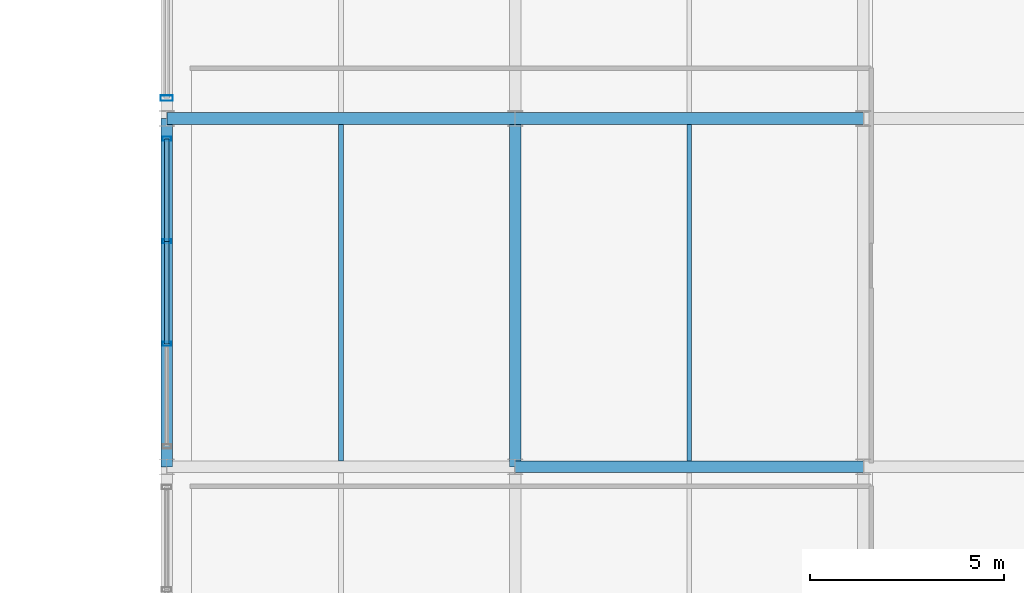
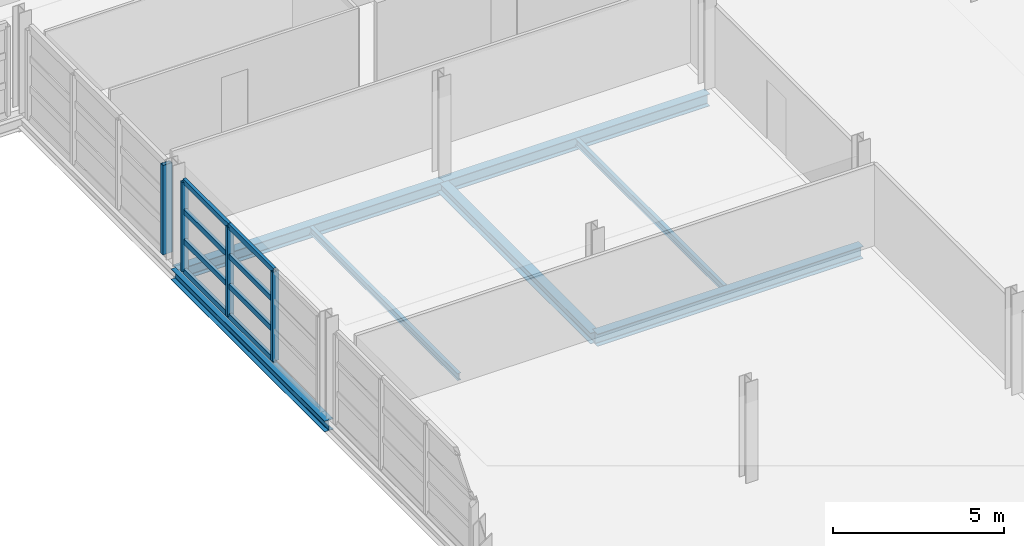
# One storey, part 69 of 116: 12 members, 7 beams, 2 elements without a shape of their own.
"""IFC4 building model written with IfcOpenShell, lengths in metres."""

from ifc_helpers import new_model, si_unit, direction, frame, origin, origin_2d, place, context, subcontext, project, spatial, hollow_rectangle, i_section, extrude, material, material_profile, profile_set, type_object, element, aggregate, save


model = new_model("IFC4")

# Units and contexts
model_context = context("Model", 3, precision=1e-05, world=origin(), true_north=direction((0.0, 1.0)))
body_context = subcontext(model_context, "Body", "Model", "MODEL_VIEW")
ifc_project = project(units=[si_unit("LENGTHUNIT", "METRE"), si_unit("AREAUNIT", "SQUARE_METRE"), si_unit("VOLUMEUNIT", "CUBIC_METRE"), si_unit("PLANEANGLEUNIT", "RADIAN"), si_unit("MASSUNIT", "GRAM", prefix="KILO")], contexts=[model_context])

# Site, building, storey
site_placement = place(None, origin())
site = spatial("IfcSite", under=ifc_project, at=site_placement, CompositionType="ELEMENT")
building_placement = place(site_placement, origin())
building = spatial("IfcBuilding", under=site, at=building_placement, Name="Chuanluo Vaults Station", CompositionType="ELEMENT")
storey_placement = place(building_placement, frame((0.0, 0.0, 10.800048828125)))
storey = spatial("IfcBuildingStorey", under=building, at=storey_placement, Name="L02", CompositionType="ELEMENT", Elevation=10.800048828125)

# Beams
ifc_material_1 = material(Name="Steel Q355C", Category="steel")
ifc_material_profile_1 = material_profile(ifc_material_1, i_section(OverallWidth=0.300048828125, OverallDepth=0.389892578125, WebThickness=0.010009765625, FlangeThickness=0.01611328125, FilletRadius=0.02001953125, at=origin_2d()))
ifc_profile_set_1 = profile_set([ifc_material_profile_1], Name="Steel Q355C")
beam_type_1 = type_object("IfcBeamType", Name="BM-GRD-400", PredefinedType="BEAM", material=ifc_profile_set_1)
for number, where, z_axis, x_axis, name in (
    (1, (145.0, 85.5, -0.4150390625), (0.0, 1.0, 0.0), (-1.0, 0.0, 0.0), "Floor girder BM:GY:L02:0648"),
    (2, (154.0, 85.5, -0.4150390625), (0.0, 1.0, 0.0), (-1.0, 0.0, 0.0), "Floor girder BM:GY:L02:0660"),
):
    element("IfcBeam", number, at=place(storey_placement, frame(where, z_axis=z_axis, x_axis=x_axis)), inside=storey, type_object=beam_type_1, Name=name, PredefinedType="BEAM", context=body_context, shape_type="SweptSolid", body=[
        extrude(i_section(OverallWidth=0.300048828125, OverallDepth=0.389892578125, WebThickness=0.010009765625, FlangeThickness=0.01611328125, FilletRadius=0.02001953125, at=origin_2d()), origin(), (0.0, 0.0, 1.0), 9.0),
    ])
ifc_material_2 = material(Name="Steel Q355C", Category="steel")
ifc_material_profile_2 = material_profile(ifc_material_2, i_section(OverallWidth=0.300048828125, OverallDepth=0.43994140625, WebThickness=0.010986328125, FlangeThickness=0.01806640625, FilletRadius=0.02001953125, at=origin_2d()))
ifc_profile_set_2 = profile_set([ifc_material_profile_2], Name="Steel Q355C")
beam_type_2 = type_object("IfcBeamType", Name="BM-GRD-450", PredefinedType="USERDEFINED", material=ifc_profile_set_2)
for number, where, z_axis, x_axis, name in (
    (3, (154.0, 85.5, -0.43994140625), (1.0, 0.0, 0.0), (0.0, 1.0, 0.0), "Floor girder BM:GX:L02:0589"),
    (4, (145.0, 94.5, -0.43994140625), (1.0, 0.0, 0.0), (0.0, 1.0, 0.0), "Floor girder BM:GX:L02:0593"),
    (5, (154.0, 94.5, -0.43994140625), (1.0, 0.0, 0.0), (0.0, 1.0, 0.0), "Floor girder BM:GX:L02:0594"),
):
    element("IfcBeam", number, at=place(storey_placement, frame(where, z_axis=z_axis, x_axis=x_axis)), inside=storey, type_object=beam_type_2, Name=name, ObjectType="GIRDER", PredefinedType="USERDEFINED", context=body_context, shape_type="SweptSolid", body=[
        extrude(i_section(OverallWidth=0.300048828125, OverallDepth=0.43994140625, WebThickness=0.010986328125, FlangeThickness=0.01806640625, FilletRadius=0.02001953125, at=origin_2d()), origin(), (0.0, 0.0, 1.0), 9.0),
    ])
ifc_material_3 = material(Name="Steel Q355C", Category="steel")
ifc_material_profile_3 = material_profile(ifc_material_3, i_section(OverallWidth=0.125, OverallDepth=0.25, WebThickness=0.006103515625, FlangeThickness=0.009033203125, FilletRadius=0.011962890625, at=origin_2d()))
ifc_profile_set_3 = profile_set([ifc_material_profile_3], Name="Steel Q355C")
beam_type_3 = type_object("IfcBeamType", Name="BM-SEC-250", PredefinedType="JOIST", material=ifc_profile_set_3)
for number, where, z_axis, x_axis, name in (
    (6, (149.5, 85.655029296875, -0.344970703125), (0.0, 1.0, 0.0), (-1.0, 0.0, 0.0), "Composite secondary joist 0205"),
    (7, (158.5, 85.655029296875, -0.344970703125), (0.0, 1.0, 0.0), (-1.0, 0.0, 0.0), "Composite secondary joist 0214"),
):
    element("IfcBeam", number, at=place(storey_placement, frame(where, z_axis=z_axis, x_axis=x_axis)), inside=storey, type_object=beam_type_3, Name=name, PredefinedType="JOIST", context=body_context, shape_type="SweptSolid", body=[
        extrude(i_section(OverallWidth=0.125, OverallDepth=0.25, WebThickness=0.006103515625, FlangeThickness=0.009033203125, FilletRadius=0.011962890625, at=origin_2d()), origin(), (0.0, 0.0, 1.0), 8.68994140625),
    ])

# Curtain wall, members
ifc_material_4 = material(Name="Anodised aluminium 6063-T6", Category="aluminium")
curtain_wall_type_1 = type_object("IfcCurtainWallType", Name="CW-SYS-04", PredefinedType="NOTDEFINED", material=ifc_material_4)
curtain_wall_1_placement = place(storey_placement, origin())
curtain_wall_1 = element("IfcCurtainWall", 8, at=curtain_wall_1_placement, inside=storey, type_object=curtain_wall_type_1, Name="Operations L02 facade CW", PredefinedType="NOTDEFINED")
ifc_material_5 = material(Name="Anodised aluminium 6063-T6", Category="aluminium")
ifc_material_profile_4 = material_profile(ifc_material_5, hollow_rectangle(XDim=0.10498046875, YDim=0.219970703125, WallThickness=0.006103515625, at=origin_2d()))
ifc_profile_set_4 = profile_set([ifc_material_profile_4], Name="Anodised aluminium 6063-T6")
member_type_1 = type_object("IfcMemberType", Name="CWM-140", PredefinedType="MULLION", material=ifc_profile_set_4)
member_1_placement = place(storey_placement, frame((145.0, 88.675048828125, 0.0), z_axis=(0.0, 0.0, 1.0), x_axis=(0.0, 1.0, 0.0)))
member_1 = element("IfcMember", 9, at=member_1_placement, type_object=member_type_1, Name="Operations L02 facade CW mullion 2", PredefinedType="MULLION", context=body_context, shape_type="SweptSolid", body=[
    extrude(hollow_rectangle(XDim=0.10498046875, YDim=0.219970703125, WallThickness=0.006103515625, at=origin_2d()), origin(), (0.0, 0.0, 1.0), 3.199951171875),
])
member_2_placement = place(storey_placement, frame((145.0, 91.324951171875, 0.0), z_axis=(0.0, 0.0, 1.0), x_axis=(0.0, 1.0, 0.0)))
member_2 = element("IfcMember", 10, at=member_2_placement, type_object=member_type_1, Name="Operations L02 facade CW mullion 3", PredefinedType="MULLION", context=body_context, shape_type="SweptSolid", body=[
    extrude(hollow_rectangle(XDim=0.10498046875, YDim=0.219970703125, WallThickness=0.006103515625, at=origin_2d()), origin(), (0.0, 0.0, 1.0), 3.199951171875),
])
member_3_placement = place(storey_placement, frame((145.0, 93.97509765625, 0.0), z_axis=(0.0, 0.0, 1.0), x_axis=(0.0, 1.0, 0.0)))
member_3 = element("IfcMember", 11, at=member_3_placement, type_object=member_type_1, Name="Operations L02 facade CW mullion 4", PredefinedType="MULLION", context=body_context, shape_type="SweptSolid", body=[
    extrude(hollow_rectangle(XDim=0.10498046875, YDim=0.219970703125, WallThickness=0.006103515625, at=origin_2d()), origin(), (0.0, 0.0, 1.0), 3.199951171875),
])

# Curtain wall, member
ifc_material_6 = material(Name="Anodised aluminium 6063-T6", Category="aluminium")
curtain_wall_type_2 = type_object("IfcCurtainWallType", Name="CW-SYS-05", PredefinedType="NOTDEFINED", material=ifc_material_6)
curtain_wall_2_placement = place(storey_placement, origin())
curtain_wall_2 = element("IfcCurtainWall", 12, at=curtain_wall_2_placement, inside=storey, type_object=curtain_wall_type_2, Name="Operations L02 facade CW", PredefinedType="NOTDEFINED")
ifc_material_7 = material(Name="Anodised aluminium 6063-T6", Category="aluminium")
ifc_material_profile_5 = material_profile(ifc_material_7, hollow_rectangle(XDim=0.139892578125, YDim=0.320068359375, WallThickness=0.008056640625, at=origin_2d()))
ifc_profile_set_5 = profile_set([ifc_material_profile_5], Name="Anodised aluminium 6063-T6")
member_type_2 = type_object("IfcMemberType", Name="CWM-220", PredefinedType="MULLION", material=ifc_profile_set_5)
member_4_placement = place(storey_placement, frame((145.0, 95.02490234375, 0.0), z_axis=(0.0, 0.0, 1.0), x_axis=(0.0, 1.0, 0.0)))
member_4 = element("IfcMember", 13, at=member_4_placement, type_object=member_type_2, Name="Operations L02 facade CW mullion 1", PredefinedType="MULLION", context=body_context, shape_type="SweptSolid", body=[
    extrude(hollow_rectangle(XDim=0.139892578125, YDim=0.320068359375, WallThickness=0.008056640625, at=origin_2d()), origin(), (0.0, 0.0, 1.0), 3.199951171875),
])
aggregate(curtain_wall_2, [member_4])

# Member
ifc_material_8 = material(Name="Anodised aluminium 6063-T6", Category="aluminium")
ifc_material_profile_6 = material_profile(ifc_material_8, hollow_rectangle(XDim=0.10498046875, YDim=0.18505859375, WallThickness=0.0048828125, at=origin_2d()))
ifc_profile_set_6 = profile_set([ifc_material_profile_6], Name="Anodised aluminium 6063-T6")
member_type_3 = type_object("IfcMemberType", Name="CWT-110", PredefinedType="USERDEFINED", material=ifc_profile_set_6)
member_5_placement = place(storey_placement, frame((145.0, 88.675048828125, 0.0), z_axis=(0.0, 1.0, 0.0), x_axis=(-1.0, 0.0, 0.0)))
member_5 = element("IfcMember", 14, at=member_5_placement, type_object=member_type_3, Name="Operations L02 facade CW transom 2.1", ObjectType="TRANSOM", PredefinedType="USERDEFINED", context=body_context, shape_type="SweptSolid", body=[
    extrude(hollow_rectangle(XDim=0.10498046875, YDim=0.18505859375, WallThickness=0.0048828125, at=origin_2d()), origin(), (0.0, 0.0, 1.0), 2.64990234375),
])

member_6_placement = place(storey_placement, frame((145.0, 88.675048828125, 1.066650390625), z_axis=(0.0, 1.0, 0.0), x_axis=(-1.0, 0.0, 0.0)))
member_6 = element("IfcMember", 15, at=member_6_placement, type_object=member_type_3, Name="Operations L02 facade CW transom 2.2", ObjectType="TRANSOM", PredefinedType="USERDEFINED", context=body_context, shape_type="SweptSolid", body=[
    extrude(hollow_rectangle(XDim=0.10498046875, YDim=0.18505859375, WallThickness=0.0048828125, at=origin_2d()), origin(), (0.0, 0.0, 1.0), 2.64990234375),
])

member_7_placement = place(storey_placement, frame((145.0, 88.675048828125, 2.13330078125), z_axis=(0.0, 1.0, 0.0), x_axis=(-1.0, 0.0, 0.0)))
member_7 = element("IfcMember", 16, at=member_7_placement, type_object=member_type_3, Name="Operations L02 facade CW transom 2.3", ObjectType="TRANSOM", PredefinedType="USERDEFINED", context=body_context, shape_type="SweptSolid", body=[
    extrude(hollow_rectangle(XDim=0.10498046875, YDim=0.18505859375, WallThickness=0.0048828125, at=origin_2d()), origin(), (0.0, 0.0, 1.0), 2.64990234375),
])

member_8_placement = place(storey_placement, frame((145.0, 88.675048828125, 3.199951171875), z_axis=(0.0, 1.0, 0.0), x_axis=(-1.0, 0.0, 0.0)))
member_8 = element("IfcMember", 17, at=member_8_placement, type_object=member_type_3, Name="Operations L02 facade CW transom 2.4", ObjectType="TRANSOM", PredefinedType="USERDEFINED", context=body_context, shape_type="SweptSolid", body=[
    extrude(hollow_rectangle(XDim=0.10498046875, YDim=0.18505859375, WallThickness=0.0048828125, at=origin_2d()), origin(), (0.0, 0.0, 1.0), 2.64990234375),
])

member_9_placement = place(storey_placement, frame((145.0, 91.324951171875, 0.0), z_axis=(0.0, 1.0, 0.0), x_axis=(-1.0, 0.0, 0.0)))
member_9 = element("IfcMember", 18, at=member_9_placement, type_object=member_type_3, Name="Operations L02 facade CW transom 3.1", ObjectType="TRANSOM", PredefinedType="USERDEFINED", context=body_context, shape_type="SweptSolid", body=[
    extrude(hollow_rectangle(XDim=0.10498046875, YDim=0.18505859375, WallThickness=0.0048828125, at=origin_2d()), origin(), (0.0, 0.0, 1.0), 2.650146484375),
])

member_10_placement = place(storey_placement, frame((145.0, 91.324951171875, 1.066650390625), z_axis=(0.0, 1.0, 0.0), x_axis=(-1.0, 0.0, 0.0)))
member_10 = element("IfcMember", 19, at=member_10_placement, type_object=member_type_3, Name="Operations L02 facade CW transom 3.2", ObjectType="TRANSOM", PredefinedType="USERDEFINED", context=body_context, shape_type="SweptSolid", body=[
    extrude(hollow_rectangle(XDim=0.10498046875, YDim=0.18505859375, WallThickness=0.0048828125, at=origin_2d()), origin(), (0.0, 0.0, 1.0), 2.650146484375),
])

member_11_placement = place(storey_placement, frame((145.0, 91.324951171875, 2.13330078125), z_axis=(0.0, 1.0, 0.0), x_axis=(-1.0, 0.0, 0.0)))
member_11 = element("IfcMember", 20, at=member_11_placement, type_object=member_type_3, Name="Operations L02 facade CW transom 3.3", ObjectType="TRANSOM", PredefinedType="USERDEFINED", context=body_context, shape_type="SweptSolid", body=[
    extrude(hollow_rectangle(XDim=0.10498046875, YDim=0.18505859375, WallThickness=0.0048828125, at=origin_2d()), origin(), (0.0, 0.0, 1.0), 2.650146484375),
])

member_12_placement = place(storey_placement, frame((145.0, 91.324951171875, 3.199951171875), z_axis=(0.0, 1.0, 0.0), x_axis=(-1.0, 0.0, 0.0)))
member_12 = element("IfcMember", 21, at=member_12_placement, type_object=member_type_3, Name="Operations L02 facade CW transom 3.4", ObjectType="TRANSOM", PredefinedType="USERDEFINED", context=body_context, shape_type="SweptSolid", body=[
    extrude(hollow_rectangle(XDim=0.10498046875, YDim=0.18505859375, WallThickness=0.0048828125, at=origin_2d()), origin(), (0.0, 0.0, 1.0), 2.650146484375),
])

aggregate(curtain_wall_1, [member_1, member_2, member_3, member_5, member_6, member_7, member_8, member_9, member_10, member_11, member_12])

save(model, "model.ifc")
